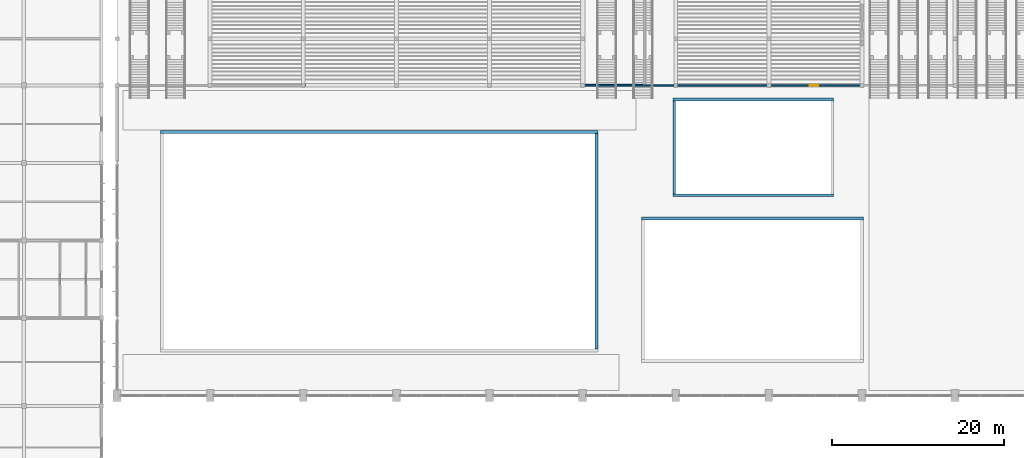
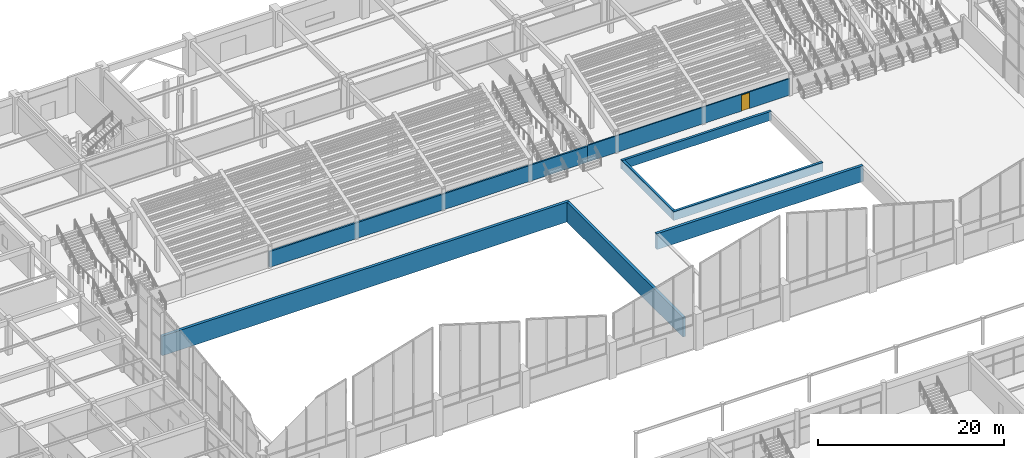
# One storey, part 54 of 82: 8 walls, 1 door, 1 opening.
"""IFC4 building model written with IfcOpenShell, lengths in metres."""

from ifc_helpers import new_model, si_unit, direction, frame, frame_2d, origin, place, context, subcontext, project, spatial, rectangle, extrude, material, layer, layer_set, type_object, element, fill, save


model = new_model("IFC4")

# Units and contexts
model_context = context("Model", 3, precision=1e-05, world=origin(), true_north=direction((0.0, 1.0)))
body_context = subcontext(model_context, "Body", "Model", "MODEL_VIEW")
ifc_project = project(units=[si_unit("LENGTHUNIT", "METRE"), si_unit("AREAUNIT", "SQUARE_METRE"), si_unit("VOLUMEUNIT", "CUBIC_METRE"), si_unit("PLANEANGLEUNIT", "RADIAN"), si_unit("MASSUNIT", "GRAM", prefix="KILO")], contexts=[model_context])

# Site, building, storey
site_placement = place(None, origin())
site = spatial("IfcSite", under=ifc_project, at=site_placement, CompositionType="ELEMENT")
building_placement = place(site_placement, origin())
building = spatial("IfcBuilding", under=site, at=building_placement, Name="Suirenkawa Promenade Aquatics Centre", CompositionType="ELEMENT")
storey_placement = place(building_placement, origin())
storey = spatial("IfcBuildingStorey", under=building, at=storey_placement, Name="L00", CompositionType="ELEMENT", Elevation=0.0)

# Walls
ifc_material_1 = material(Name="Autoclaved aerated concrete blockwork Grade 1", Category="masonry")
ifc_layer_1 = layer(ifc_material_1, 0.199951171875, Name="Autoclaved aerated concrete blockwork Grade 1", Category="masonry")
ifc_layer_set_1 = layer_set([ifc_layer_1], Name="Autoclaved aerated concrete blockwork Grade 1")
wall_type_1 = type_object("IfcWallType", Name="WT-COMP-200", PredefinedType="PARTITIONING", material=ifc_layer_set_1)
wall_1_placement = place(storey_placement, frame((68.39990234375, 86.39990234375, 0.0), z_axis=(0.0, 0.0, 1.0), x_axis=(1.0, 0.0, 0.0)))
element("IfcWall", 1, at=wall_1_placement, inside=storey, type_object=wall_type_1, Name="Interior wall WL-PRT-01 W-7314", PredefinedType="PARTITIONING", context=body_context, shape_type="SweptSolid", body=[
    extrude(rectangle(XDim=39.60009765625, YDim=0.199951171875, at=frame_2d((19.800048828125, 0.0))), origin(), (0.0, 0.0, 1.0), 2.094970703125),
])
ifc_material_2 = material(Name="Waterproof concrete M40", Category="concrete")
ifc_layer_2 = layer(ifc_material_2, 0.300048828125, Name="Waterproof concrete M40", Category="concrete")
ifc_layer_set_2 = layer_set([ifc_layer_2], Name="Waterproof concrete M40")
wall_type_2 = type_object("IfcWallType", Name="WT-TANK-300", PredefinedType="USERDEFINED", material=ifc_layer_set_2)
for number, where, z_axis, x_axis, name in (
    (2, (111.300048828125, 73.64990234375, -1.10009765625), (0.0, 0.0, 1.0), (1.0, 0.0, 0.0), "Leisure and Teaching Pool south tank wall WL-RET-04 W-0025"),
    (3, (111.300048828125, 84.75, -1.10009765625), (0.0, 0.0, 1.0), (1.0, 0.0, 0.0), "Leisure and Teaching Pool north tank wall WL-RET-04 W-0026"),
):
    element("IfcWall", number, at=place(storey_placement, frame(where, z_axis=z_axis, x_axis=x_axis)), inside=storey, type_object=wall_type_2, Name=name, ObjectType="RETAININGWALL", PredefinedType="USERDEFINED", context=body_context, shape_type="SweptSolid", body=[
        extrude(rectangle(XDim=18.599853515625, YDim=0.300048828125, at=frame_2d((9.2998046875, 0.0))), origin(), (0.0, 0.0, 1.0), 1.18017578125),
    ])
wall_2_placement = place(storey_placement, frame((111.449951171875, 73.800048828125, -1.10009765625), z_axis=(0.0, 0.0, 1.0), x_axis=(0.0, 1.0, 0.0)))
element("IfcWall", 4, at=wall_2_placement, inside=storey, type_object=wall_type_2, Name="Leisure and Teaching Pool west tank wall WL-RET-04 W-0027", ObjectType="RETAININGWALL", PredefinedType="USERDEFINED", context=body_context, shape_type="SweptSolid", body=[
    extrude(rectangle(XDim=10.800048828125, YDim=0.300048828125, at=frame_2d((5.39990234375, 0.0))), origin(), (0.0, 0.0, 1.0), 1.18017578125),
])
ifc_layer_3 = layer(ifc_material_2, 0.35009765625, Name="Waterproof concrete M40", Category="concrete")
ifc_layer_set_3 = layer_set([ifc_layer_3], Name="Waterproof concrete M40")
wall_type_3 = type_object("IfcWallType", Name="WT-TANK-350", PredefinedType="USERDEFINED", material=ifc_layer_set_3)
wall_3_placement = place(storey_placement, frame((51.85009765625, 80.97509765625, -2.5), z_axis=(0.0, 0.0, 1.0), x_axis=(1.0, 0.0, 0.0)))
element("IfcWall", 5, at=wall_3_placement, inside=storey, type_object=wall_type_3, Name="50m Competition Pool north tank wall WL-RET-03 W-0018", ObjectType="RETAININGWALL", PredefinedType="USERDEFINED", context=body_context, shape_type="SweptSolid", body=[
    extrude(rectangle(XDim=50.719970703125, YDim=0.35009765625, at=frame_2d((25.35986328125, 0.0))), origin(), (0.0, 0.0, 1.0), 2.580078125),
])
wall_4_placement = place(storey_placement, frame((102.39501953125, 55.800048828125, -2.5), z_axis=(0.0, 0.0, 1.0), x_axis=(0.0, 1.0, 0.0)))
element("IfcWall", 6, at=wall_4_placement, inside=storey, type_object=wall_type_3, Name="50m Competition Pool east tank wall WL-RET-03 W-0020", ObjectType="RETAININGWALL", PredefinedType="USERDEFINED", context=body_context, shape_type="SweptSolid", body=[
    extrude(rectangle(XDim=25.0, YDim=0.35009765625, at=frame_2d((12.5, 0.0))), origin(), (0.0, 0.0, 1.0), 2.580078125),
])
wall_5_placement = place(storey_placement, frame((107.64990234375, 70.97509765625, -2.0), z_axis=(0.0, 0.0, 1.0), x_axis=(1.0, 0.0, 0.0)))
element("IfcWall", 7, at=wall_5_placement, inside=storey, type_object=wall_type_3, Name="25m Training and Warm-Up Pool north tank wall WL-RET-03 W-0022", ObjectType="RETAININGWALL", PredefinedType="USERDEFINED", context=body_context, shape_type="SweptSolid", body=[
    extrude(rectangle(XDim=25.72021484375, YDim=0.35009765625, at=frame_2d((12.860107421875, 0.0))), origin(), (0.0, 0.0, 1.0), 2.080078125),
])

# Wall, opening, door
ifc_layer_4 = layer(ifc_material_1, 0.159912109375, Name="Autoclaved aerated concrete blockwork Grade 1", Category="masonry")
ifc_layer_set_4 = layer_set([ifc_layer_4], Name="Autoclaved aerated concrete blockwork Grade 1")
wall_type_4 = type_object("IfcWallType", Name="WT-WET-160", PredefinedType="PARTITIONING", material=ifc_layer_set_4)
wall_6_placement = place(storey_placement, frame((108.0, 86.39990234375, 0.0), z_axis=(0.0, 0.0, 1.0), x_axis=(1.0, 0.0, 0.0)))
wall_6 = element("IfcWall", 8, at=wall_6_placement, inside=storey, type_object=wall_type_4, Name="Interior wall WL-PRT-03 W-7318", PredefinedType="PARTITIONING", context=body_context, shape_type="SweptSolid", body=[
    extrude(rectangle(XDim=25.199951171875, YDim=0.159912109375, at=frame_2d((12.60009765625, 0.0))), origin(), (0.0, 0.0, 1.0), 2.195068359375),
])
opening_placement = place(wall_6_placement, frame((19.156005859375, 0.0, 0.0)))
opening = element("IfcOpeningElement", 9, at=opening_placement, cuts=wall_6, Name="Opening ID-07", PredefinedType="OPENING", context=body_context, shape_type="SweptSolid", body=[
    extrude(rectangle(XDim=1.0, YDim=2.10009765625, at=frame_2d((0.5, 1.050048828125))), frame((0.0, 0.08984375, 0.0), z_axis=(0.0, -1.0, 0.0), x_axis=(1.0, 0.0, 0.0)), (0.0, 0.0, 1.0), 0.179931640625),
])
ifc_material_3 = material(Name="Engineered maple acoustic sports timber", Category="wood")
door_type = type_object("IfcDoorType", Name="DT-FD60-1000x2100", OperationType="NOTDEFINED", PredefinedType="DOOR", material=ifc_material_3)
door_placement = place(opening_placement, origin())
door = element("IfcDoor", 10, at=door_placement, inside=storey, type_object=door_type, Name="Interior door ID-07 DR-INT-0186", OperationType="SINGLE_SWING_LEFT", OverallHeight=2.10009765625, OverallWidth=1.0, PredefinedType="DOOR", context=body_context, shape_type="SweptSolid", body=[
    extrude(rectangle(XDim=1.0, YDim=2.10009765625, at=frame_2d((0.5, 1.050048828125))), frame((0.0, 0.02490234375, 0.0), z_axis=(0.0, -1.0, 0.0), x_axis=(1.0, 0.0, 0.0)), (0.0, 0.0, 1.0), 0.050048828125),
])
fill(opening, door)

save(model, "model.ifc")
